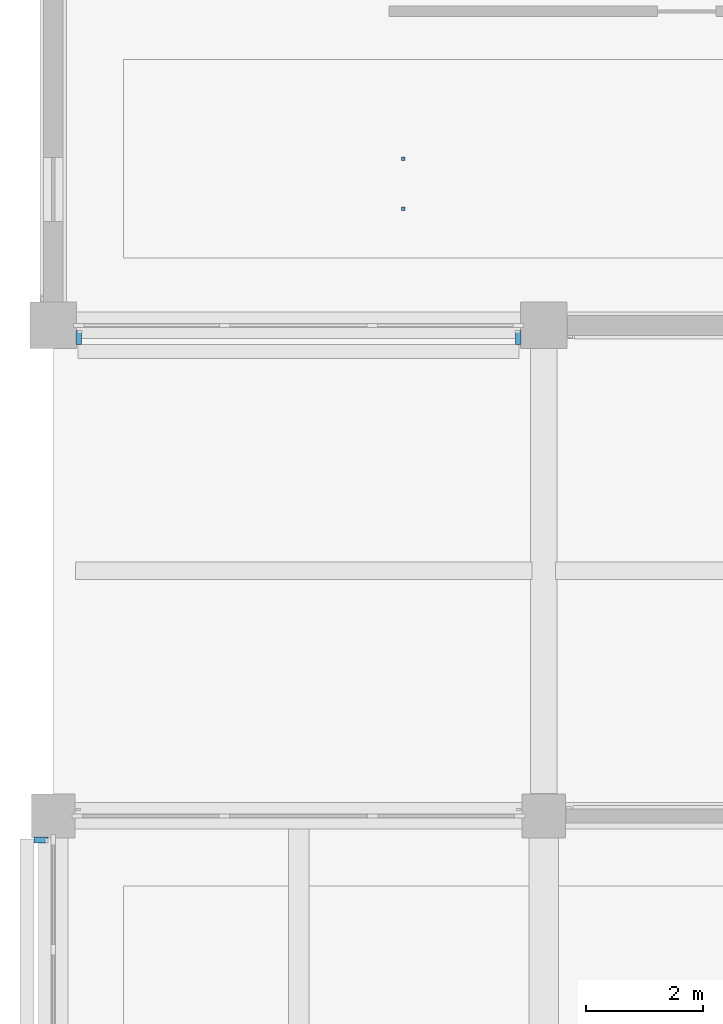
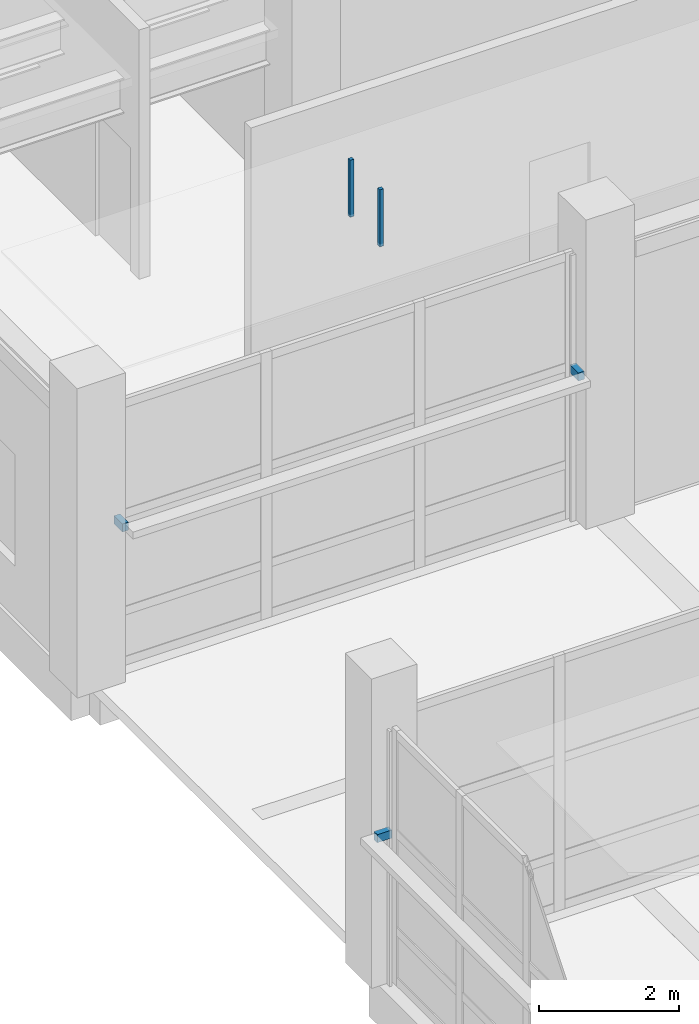
# One storey, part 89 of 140: 5 discrete accessories.
"""IFC4 building model written with IfcOpenShell, lengths in metres."""

from ifc_helpers import new_model, si_unit, direction, frame, origin, origin_2d, place, context, subcontext, project, spatial, rectangle, extrude, material, type_object, element, save


model = new_model("IFC4")

# Units and contexts
model_context = context("Model", 3, precision=1e-05, world=origin(), true_north=direction((0.0, 1.0)))
body_context = subcontext(model_context, "Body", "Model", "MODEL_VIEW")
ifc_project = project(units=[si_unit("LENGTHUNIT", "METRE"), si_unit("AREAUNIT", "SQUARE_METRE"), si_unit("VOLUMEUNIT", "CUBIC_METRE"), si_unit("PLANEANGLEUNIT", "RADIAN"), si_unit("MASSUNIT", "GRAM", prefix="KILO")], contexts=[model_context])

# Site, building, storey
site_placement = place(None, origin())
site = spatial("IfcSite", under=ifc_project, at=site_placement, CompositionType="ELEMENT")
building_placement = place(site_placement, origin())
building = spatial("IfcBuilding", under=site, at=building_placement, Name="Telukmera Botanical Conservatory", CompositionType="ELEMENT")
storey_placement = place(building_placement, origin())
storey = spatial("IfcBuildingStorey", under=building, at=storey_placement, Name="L00", CompositionType="ELEMENT", Elevation=0.0)

# Discrete accessories
ifc_material = material(Name="Steel S355", Category="steel")
discrete_accessory_type_1 = type_object("IfcDiscreteAccessoryType", Name="ACC-CEIL-HGR", PredefinedType="BRACKET", material=ifc_material)
for number, where, z_axis, x_axis, name in (
    (1, (14.39501953125, 85.199951171875, 4.2099609375), (0.0, 0.0, 1.0), (1.0, 0.0, 0.0), "L00 Suspended Ceiling Hanger Rod 042-1"),
    (2, (14.39501953125, 86.050048828125, 4.2099609375), (0.0, 0.0, 1.0), (1.0, 0.0, 0.0), "L00 Suspended Ceiling Hanger Rod 042-2"),
):
    element("IfcDiscreteAccessory", number, at=place(storey_placement, frame(where, z_axis=z_axis, x_axis=x_axis)), inside=storey, type_object=discrete_accessory_type_1, Name=name, PredefinedType="BRACKET", context=body_context, shape_type="SweptSolid", body=[
        extrude(rectangle(XDim=0.06005859375, YDim=0.06005859375, at=origin_2d()), origin(), (0.0, 0.0, 1.0), 0.9951171875),
    ])
discrete_accessory_type_2 = type_object("IfcDiscreteAccessoryType", Name="Structural Steel Facade Outrigger Fin Bracket", PredefinedType="BRACKET", material=ifc_material)
for number, where, z_axis, x_axis, name in (
    (3, (8.8369140625, 82.989990234375, 2.580078125), (0.0, 0.0, 1.0), (1.0, 0.0, 0.0), "Facade Outrigger Bracket V2:L00:S1 A"),
    (4, (16.363037109375, 82.989990234375, 2.580078125), (0.0, 0.0, 1.0), (1.0, 0.0, 0.0), "Facade Outrigger Bracket V2:L00:S1 B"),
    (5, (8.18994140625, 74.387939453125, 2.580078125), (0.0, 0.0, 1.0), (0.0, 1.0, 0.0), "Facade Outrigger Bracket V3:L00:W7 B"),
):
    element("IfcDiscreteAccessory", number, at=place(storey_placement, frame(where, z_axis=z_axis, x_axis=x_axis)), inside=storey, type_object=discrete_accessory_type_2, Name=name, PredefinedType="BRACKET", context=body_context, shape_type="SweptSolid", body=[
        extrude(rectangle(XDim=0.10009765625, YDim=0.239990234375, at=origin_2d()), origin(), (0.0, 0.0, 1.0), 0.139892578125),
    ])

save(model, "model.ifc")
